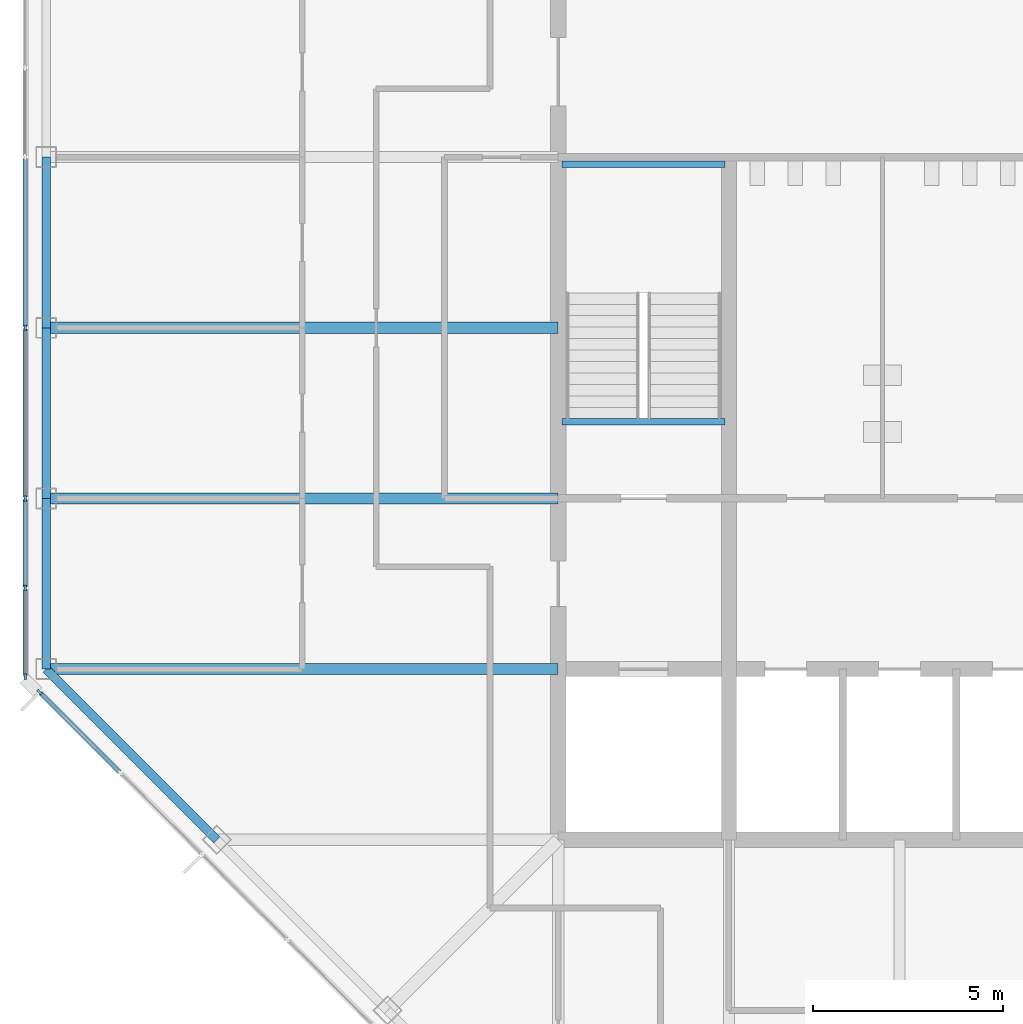
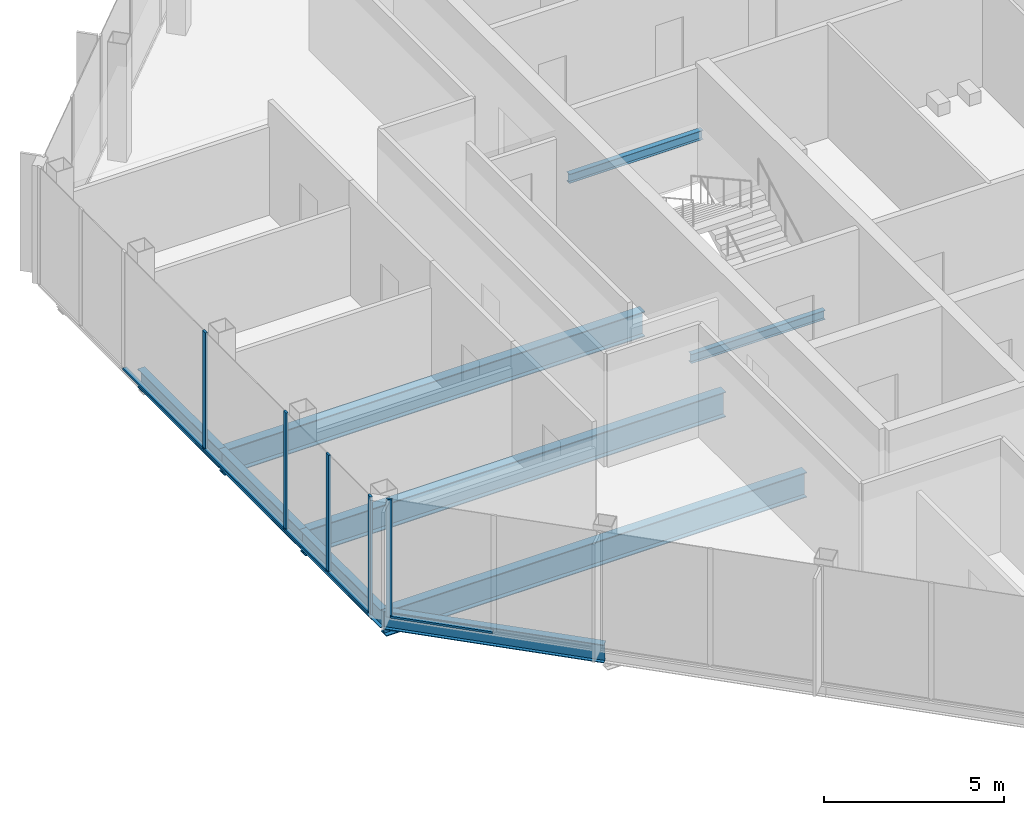
# One storey, part 3 of 14: 10 members, 9 beams, 2 elements without a shape of their own.
"""IFC4 building model written with IfcOpenShell, lengths in metres."""

from ifc_helpers import new_model, si_unit, direction, frame, origin, origin_2d, place, context, subcontext, project, spatial, rectangle, i_section, extrude, material, material_profile, profile_set, type_object, element, aggregate, save


model = new_model("IFC4")

# Units and contexts
model_context = context("Model", 3, precision=1e-05, world=origin(), true_north=direction((0.0, 1.0)))
body_context = subcontext(model_context, "Body", "Model", "MODEL_VIEW")
ifc_project = project(units=[si_unit("LENGTHUNIT", "METRE"), si_unit("AREAUNIT", "SQUARE_METRE"), si_unit("VOLUMEUNIT", "CUBIC_METRE"), si_unit("PLANEANGLEUNIT", "RADIAN"), si_unit("MASSUNIT", "GRAM", prefix="KILO")], contexts=[model_context])

# Site, building, storey
site_placement = place(None, origin())
site = spatial("IfcSite", under=ifc_project, at=site_placement, CompositionType="ELEMENT")
building_placement = place(site_placement, origin())
building = spatial("IfcBuilding", under=site, at=building_placement, Name="Corais Broadcast Tower", CompositionType="ELEMENT")
storey_placement = place(building_placement, frame((0.0, 0.0, 298.60009765625)))
storey = spatial("IfcBuildingStorey", under=building, at=storey_placement, Name="L70", CompositionType="ELEMENT", Elevation=298.60009765625)

# Beams
ifc_material_1 = material(Name="Steel ASTM A572 Grade 50", Category="steel")
ifc_material_profile_1 = material_profile(ifc_material_1, i_section(OverallWidth=0.2939453125, OverallDepth=0.85107421875, WebThickness=0.01611328125, FlangeThickness=0.02685546875, at=origin_2d()), Name="W840x226")
ifc_profile_set_1 = profile_set([ifc_material_profile_1], Name="Steel ASTM A572 Grade 50")
beam_type_1 = type_object("IfcBeamType", Name="Floor beam W840x226", PredefinedType="BEAM", material=ifc_profile_set_1)
for number, where, z_axis, x_axis, name in (
    (1, (0.0, 18.0, -0.585693359375), (1.0, 0.0, 0.0), (0.0, 1.0, 0.0), "B1 E/3 to E/6"),
    (2, (0.0, 22.5, -0.585693359375), (1.0, 0.0, 0.0), (0.0, 1.0, 0.0), "B1 F/3 to F/6"),
    (3, (0.0, 27.0, -0.585693359375), (1.0, 0.0, 0.0), (0.0, 1.0, 0.0), "B1 G/3 to G/6"),
):
    element("IfcBeam", number, at=place(storey_placement, frame(where, z_axis=z_axis, x_axis=x_axis)), inside=storey, type_object=beam_type_1, Name=name, PredefinedType="BEAM", context=body_context, shape_type="SweptSolid", body=[
        extrude(i_section(OverallWidth=0.2939453125, OverallDepth=0.85107421875, WebThickness=0.01611328125, FlangeThickness=0.02685546875, at=origin_2d()), origin(), (0.0, 0.0, 1.0), 13.5),
    ])
ifc_material_2 = material(Name="Steel ASTM A572 Grade 50", Category="steel")
ifc_material_profile_2 = material_profile(ifc_material_2, i_section(OverallWidth=0.1650390625, OverallDepth=0.31005859375, WebThickness=0.005859375, FlangeThickness=0.009765625, at=origin_2d()), Name="W310x38.7")
ifc_profile_set_2 = profile_set([ifc_material_profile_2], Name="Steel ASTM A572 Grade 50")
beam_type_2 = type_object("IfcBeamType", Name="Landing trimmer W310x38.7", PredefinedType="BEAM", material=ifc_profile_set_2)
for number, where, z_axis, x_axis, name in (
    (4, (13.60009765625, 24.52490234375, -0.35498046875), (1.0, 0.0, 0.0), (0.0, 1.0, 0.0), "LT1 stair A landing trimmer L70"),
    (5, (13.60009765625, 31.31005859375, 1.64501953125), (1.0, 0.0, 0.0), (0.0, 1.0, 0.0), "LT1 stair A half landing trimmer L70"),
):
    element("IfcBeam", number, at=place(storey_placement, frame(where, z_axis=z_axis, x_axis=x_axis)), inside=storey, type_object=beam_type_2, Name=name, PredefinedType="BEAM", context=body_context, shape_type="SweptSolid", body=[
        extrude(i_section(OverallWidth=0.1650390625, OverallDepth=0.31005859375, WebThickness=0.005859375, FlangeThickness=0.009765625, at=origin_2d()), origin(), (0.0, 0.0, 1.0), 4.2998046875),
    ])

# Curtain wall, member
ifc_material_3 = material(Name="Aluminium and glass", Category="aluminium")
curtain_wall_type = type_object("IfcCurtainWallType", Name="Unitised fritted curtain wall CW3", PredefinedType="NOTDEFINED", material=ifc_material_3)
curtain_wall_1_placement = place(storey_placement, origin())
curtain_wall_1 = element("IfcCurtainWall", 6, at=curtain_wall_1_placement, inside=storey, type_object=curtain_wall_type, Name="CW3 curtain wall L70 1", PredefinedType="NOTDEFINED")
ifc_material_4 = material(Name="Aluminium 6063-T6", Category="aluminium")
ifc_material_profile_3 = material_profile(ifc_material_4, rectangle(XDim=0.06494140625, YDim=0.159912109375, at=origin_2d()), Name="Mullion CW3 65x160")
ifc_profile_set_3 = profile_set([ifc_material_profile_3], Name="Aluminium 6063-T6")
member_type_1 = type_object("IfcMemberType", Name="Mullion CW3 65x160", PredefinedType="MULLION", material=ifc_profile_set_3)
member_1_placement = place(storey_placement, frame((-0.17333984375, 17.3955078125, 0.0), z_axis=(0.0, 0.0, 1.0), x_axis=(-0.707106781187, -0.707106781187, 0.0)))
member_1 = element("IfcMember", 7, at=member_1_placement, type_object=member_type_1, Name="CW3 mullion 9", PredefinedType="MULLION", context=body_context, shape_type="SweptSolid", body=[
    extrude(rectangle(XDim=0.06494140625, YDim=0.159912109375, at=origin_2d()), origin(), (0.0, 0.0, 1.0), 4.0),
])

# Curtain wall, members
curtain_wall_2_placement = place(storey_placement, origin())
curtain_wall_2 = element("IfcCurtainWall", 8, at=curtain_wall_2_placement, inside=storey, type_object=curtain_wall_type, Name="CW3 curtain wall L70 2", PredefinedType="NOTDEFINED")
member_2_placement = place(storey_placement, frame((-0.550048828125, 17.8046875, 0.0), z_axis=(0.0, 0.0, 1.0), x_axis=(-1.0, 0.0, 0.0)))
member_2 = element("IfcMember", 9, at=member_2_placement, type_object=member_type_1, Name="CW3 mullion 1", PredefinedType="MULLION", context=body_context, shape_type="SweptSolid", body=[
    extrude(rectangle(XDim=0.06494140625, YDim=0.159912109375, at=origin_2d()), origin(), (0.0, 0.0, 1.0), 4.0),
])
member_3_placement = place(storey_placement, frame((-0.550048828125, 20.135986328125, 0.0), z_axis=(0.0, 0.0, 1.0), x_axis=(-1.0, 0.0, 0.0)))
member_3 = element("IfcMember", 10, at=member_3_placement, type_object=member_type_1, Name="CW3 mullion 2", PredefinedType="MULLION", context=body_context, shape_type="SweptSolid", body=[
    extrude(rectangle(XDim=0.06494140625, YDim=0.159912109375, at=origin_2d()), origin(), (0.0, 0.0, 1.0), 4.0),
])
member_4_placement = place(storey_placement, frame((-0.550048828125, 22.5, 0.0), z_axis=(0.0, 0.0, 1.0), x_axis=(-1.0, 0.0, 0.0)))
member_4 = element("IfcMember", 11, at=member_4_placement, type_object=member_type_1, Name="CW3 mullion 3", PredefinedType="MULLION", context=body_context, shape_type="SweptSolid", body=[
    extrude(rectangle(XDim=0.06494140625, YDim=0.159912109375, at=origin_2d()), origin(), (0.0, 0.0, 1.0), 4.0),
])
member_5_placement = place(storey_placement, frame((-0.550048828125, 27.0, 0.0), z_axis=(0.0, 0.0, 1.0), x_axis=(-1.0, 0.0, 0.0)))
member_5 = element("IfcMember", 12, at=member_5_placement, type_object=member_type_1, Name="CW3 mullion 4", PredefinedType="MULLION", context=body_context, shape_type="SweptSolid", body=[
    extrude(rectangle(XDim=0.06494140625, YDim=0.159912109375, at=origin_2d()), origin(), (0.0, 0.0, 1.0), 4.0),
])

# Beams
ifc_material_5 = material(Name="Steel ASTM A572 Grade 50", Category="steel")
ifc_material_profile_4 = material_profile(ifc_material_5, i_section(OverallWidth=0.22998046875, OverallDepth=0.616943359375, WebThickness=0.01318359375, FlangeThickness=0.022216796875, at=origin_2d()), Name="W610x140")
ifc_profile_set_4 = profile_set([ifc_material_profile_4], Name="Steel ASTM A572 Grade 50")
beam_type_3 = type_object("IfcBeamType", Name="Spandrel W610x140", PredefinedType="BEAM", material=ifc_profile_set_4)
beam_placement = place(storey_placement, frame((0.0, 18.0, -0.468505859375), z_axis=(0.707106781187, -0.707106781187, 0.0), x_axis=(0.707106781187, 0.707106781187, 0.0)))
element("IfcBeam", 13, at=beam_placement, inside=storey, type_object=beam_type_3, Name="SB3 E/3 to D/4", PredefinedType="BEAM", context=body_context, shape_type="SweptSolid", body=[
    extrude(i_section(OverallWidth=0.22998046875, OverallDepth=0.616943359375, WebThickness=0.01318359375, FlangeThickness=0.022216796875, at=origin_2d()), origin(), (0.0, 0.0, 1.0), 6.364013671875),
])
for number, where, z_axis, x_axis, name in (
    (14, (0.0, 22.5, -0.468505859375), (0.0, -1.0, 0.0), (1.0, 0.0, 0.0), "SB3 F/3 to E/3"),
    (15, (0.0, 27.0, -0.468505859375), (0.0, -1.0, 0.0), (1.0, 0.0, 0.0), "SB3 G/3 to F/3"),
    (16, (0.0, 31.5, -0.468505859375), (0.0, -1.0, 0.0), (1.0, 0.0, 0.0), "SB3 H/3 to G/3"),
):
    element("IfcBeam", number, at=place(storey_placement, frame(where, z_axis=z_axis, x_axis=x_axis)), inside=storey, type_object=beam_type_3, Name=name, PredefinedType="BEAM", context=body_context, shape_type="SweptSolid", body=[
        extrude(i_section(OverallWidth=0.22998046875, OverallDepth=0.616943359375, WebThickness=0.01318359375, FlangeThickness=0.022216796875, at=origin_2d()), origin(), (0.0, 0.0, 1.0), 4.5),
    ])

# Member
ifc_material_6 = material(Name="Aluminium 6063-T6", Category="aluminium")
ifc_material_profile_5 = material_profile(ifc_material_6, rectangle(XDim=0.1201171875, YDim=0.06494140625, at=origin_2d()), Name="Transom CW3 65x120")
ifc_profile_set_5 = profile_set([ifc_material_profile_5], Name="Aluminium 6063-T6")
member_type_2 = type_object("IfcMemberType", Name="Transom CW3 65x120", PredefinedType="USERDEFINED", material=ifc_profile_set_5)
member_6_placement = place(storey_placement, frame((1.934326171875, 15.287841796875, 0.032470703125), z_axis=(-0.707106781187, 0.707106781187, 0.0), x_axis=(-0.707106781187, -0.707106781187, 0.0)))
member_6 = element("IfcMember", 17, at=member_6_placement, type_object=member_type_2, Name="CW3 transom 8.1", ObjectType="TRANSOM", PredefinedType="USERDEFINED", context=body_context, shape_type="SweptSolid", body=[
    extrude(rectangle(XDim=0.1201171875, YDim=0.06494140625, at=origin_2d()), origin(), (0.0, 0.0, 1.0), 2.9482421875),
])

aggregate(curtain_wall_1, [member_1, member_6])

member_7_placement = place(storey_placement, frame((-0.550048828125, 17.837158203125, 0.032470703125), z_axis=(0.0, 1.0, 0.0), x_axis=(-1.0, 0.0, 0.0)))
member_7 = element("IfcMember", 18, at=member_7_placement, type_object=member_type_2, Name="CW3 transom 1.1", ObjectType="TRANSOM", PredefinedType="USERDEFINED", context=body_context, shape_type="SweptSolid", body=[
    extrude(rectangle(XDim=0.1201171875, YDim=0.06494140625, at=origin_2d()), origin(), (0.0, 0.0, 1.0), 2.266357421875),
])

member_8_placement = place(storey_placement, frame((-0.550048828125, 20.168701171875, 0.032470703125), z_axis=(0.0, 1.0, 0.0), x_axis=(-1.0, 0.0, 0.0)))
member_8 = element("IfcMember", 19, at=member_8_placement, type_object=member_type_2, Name="CW3 transom 2.1", ObjectType="TRANSOM", PredefinedType="USERDEFINED", context=body_context, shape_type="SweptSolid", body=[
    extrude(rectangle(XDim=0.1201171875, YDim=0.06494140625, at=origin_2d()), origin(), (0.0, 0.0, 1.0), 2.298828125),
])

member_9_placement = place(storey_placement, frame((-0.550048828125, 22.532470703125, 0.032470703125), z_axis=(0.0, 1.0, 0.0), x_axis=(-1.0, 0.0, 0.0)))
member_9 = element("IfcMember", 20, at=member_9_placement, type_object=member_type_2, Name="CW3 transom 3.1", ObjectType="TRANSOM", PredefinedType="USERDEFINED", context=body_context, shape_type="SweptSolid", body=[
    extrude(rectangle(XDim=0.1201171875, YDim=0.06494140625, at=origin_2d()), origin(), (0.0, 0.0, 1.0), 4.43505859375),
])

member_10_placement = place(storey_placement, frame((-0.550048828125, 27.032470703125, 0.032470703125), z_axis=(0.0, 1.0, 0.0), x_axis=(-1.0, 0.0, 0.0)))
member_10 = element("IfcMember", 21, at=member_10_placement, type_object=member_type_2, Name="CW3 transom 4.1", ObjectType="TRANSOM", PredefinedType="USERDEFINED", context=body_context, shape_type="SweptSolid", body=[
    extrude(rectangle(XDim=0.1201171875, YDim=0.06494140625, at=origin_2d()), origin(), (0.0, 0.0, 1.0), 4.43505859375),
])

aggregate(curtain_wall_2, [member_2, member_3, member_4, member_5, member_7, member_8, member_9, member_10])

save(model, "model.ifc")
